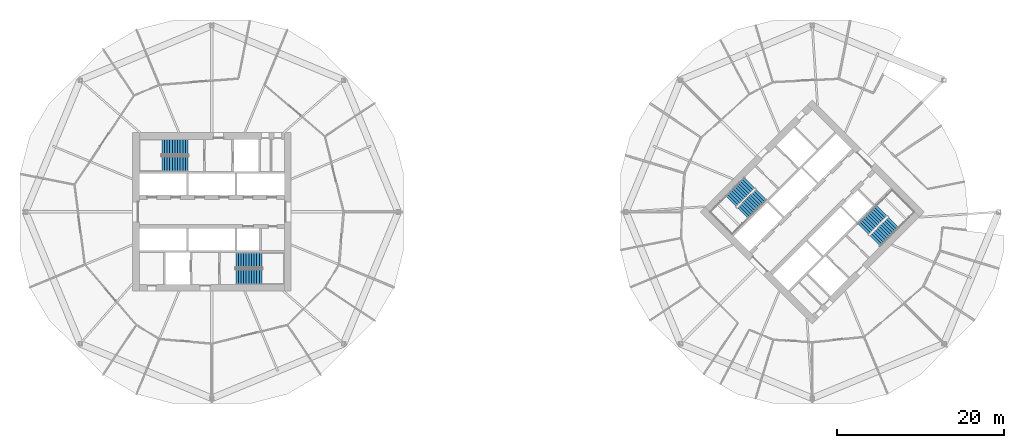
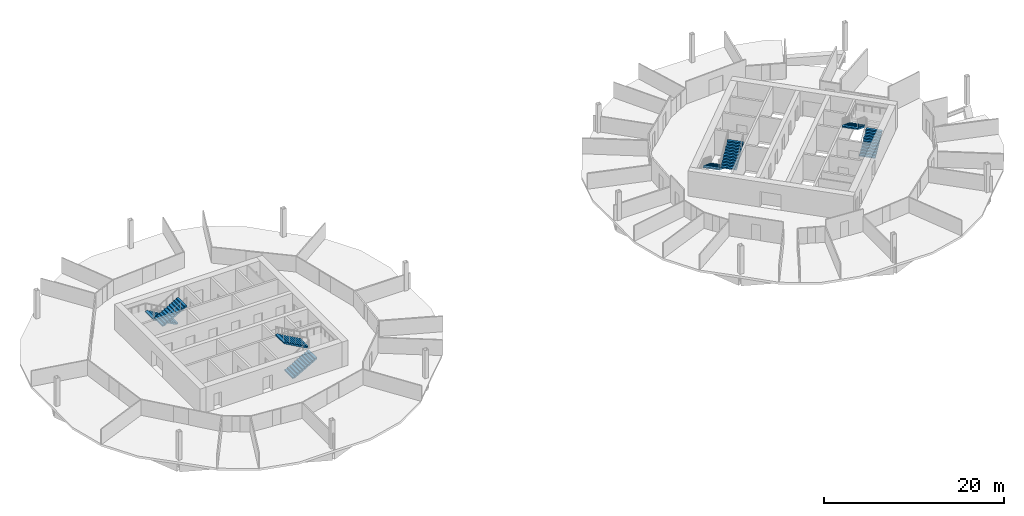
# One storey, part 9 of 10: 8 stair flights, 4 elements without a shape of their own.
"""IFC4 building model written with IfcOpenShell, lengths in metres."""

from ifc_helpers import new_model, si_unit, direction, frame, origin, place, context, subcontext, project, spatial, polyline, outline, extrude, material, type_object, element, aggregate, save


model = new_model("IFC4")

# Units and contexts
model_context = context("Model", 3, precision=1e-05, world=origin(), true_north=direction((0.0, 1.0)))
body_context = subcontext(model_context, "Body", "Model", "MODEL_VIEW")
ifc_project = project(units=[si_unit("LENGTHUNIT", "METRE"), si_unit("AREAUNIT", "SQUARE_METRE"), si_unit("VOLUMEUNIT", "CUBIC_METRE"), si_unit("PLANEANGLEUNIT", "RADIAN"), si_unit("MASSUNIT", "GRAM", prefix="KILO")], contexts=[model_context])

# Site, building, storey
site_placement = place(None, origin())
site = spatial("IfcSite", under=ifc_project, at=site_placement, CompositionType="ELEMENT")
building_placement = place(site_placement, origin())
building = spatial("IfcBuilding", under=site, at=building_placement, Name="Ogive Gate Towers", CompositionType="ELEMENT")
storey_placement = place(building_placement, frame((0.0, 0.0, 126.89990234375)))
storey = spatial("IfcBuildingStorey", under=building, at=storey_placement, Name="L30", CompositionType="ELEMENT", Elevation=126.89990234375)

# Stair, stair flights
ifc_material = material(Name="Concrete C40/50", Category="concrete")
stair_type = type_object("IfcStairType", Name="Escape stair 1840 wide", PredefinedType="HALF_TURN_STAIR", material=ifc_material)
stair_1_placement = place(storey_placement, origin())
stair_1 = element("IfcStair", 1, at=stair_1_placement, inside=storey, type_object=stair_type, Name="L30 Escape stair 1", PredefinedType="HALF_TURN_STAIR")
stair_flight_type = type_object("IfcStairFlightType", Name="Stair flight 1840 wide", PredefinedType="STRAIGHT", material=ifc_material)
stair_flight_1_placement = place(storey_placement, frame((-38.864990234375, 7.780029296875, 0.0), z_axis=(0.0, 0.0, 1.0), x_axis=(-1.0, 0.0, 0.0)))
stair_flight_1 = element("IfcStairFlight", 2, at=stair_flight_1_placement, type_object=stair_flight_type, Name="ST1 flight 1", NumberOfRisers=11, NumberOfTreads=10, PredefinedType="STRAIGHT", RiserHeight=0.177272727, TreadLength=0.313636364, context=body_context, shape_type="SweptSolid", body=[
    extrude(outline(polyline([(0.0, 0.0), (0.0, 0.17724609375), (0.313720703125, 0.17724609375), (0.313720703125, 0.3544921875), (0.627197265625, 0.3544921875), (0.627197265625, 0.53173828125), (0.94091796875, 0.53173828125), (0.94091796875, 0.708984375), (1.254638671875, 0.708984375), (1.254638671875, 0.886474609375), (1.568115234375, 0.886474609375), (1.568115234375, 1.063720703125), (1.8818359375, 1.063720703125), (1.8818359375, 1.240966796875), (2.195556640625, 1.240966796875), (2.195556640625, 1.418212890625), (2.509033203125, 1.418212890625), (2.509033203125, 1.595458984375), (2.82275390625, 1.595458984375), (2.82275390625, 1.772705078125), (3.136474609375, 1.772705078125), (3.136474609375, 1.949951171875), (3.136474609375, 1.6005859375), (0.3046875, 0.0), (0.0, 0.0)])), frame((0.0, 0.919921875, 0.0), z_axis=(0.0, -1.0, 0.0), x_axis=(1.0, 0.0, 0.0)), (0.0, 0.0, 1.0), 1.840087890625),
])
stair_flight_2_placement = place(storey_placement, frame((-42.00146484375, 5.794921875, 1.9501953125), z_axis=(0.0, 0.0, 1.0), x_axis=(1.0, 0.0, 0.0)))
stair_flight_2 = element("IfcStairFlight", 3, at=stair_flight_2_placement, type_object=stair_flight_type, Name="ST1 flight 2", NumberOfRisers=11, NumberOfTreads=10, PredefinedType="STRAIGHT", RiserHeight=0.177272727, TreadLength=0.313636364, context=body_context, shape_type="SweptSolid", body=[
    extrude(outline(polyline([(0.0, 0.0), (0.0, 0.17724609375), (0.313720703125, 0.17724609375), (0.313720703125, 0.3544921875), (0.627197265625, 0.3544921875), (0.627197265625, 0.53173828125), (0.94091796875, 0.53173828125), (0.94091796875, 0.708984375), (1.254638671875, 0.708984375), (1.254638671875, 0.886474609375), (1.568115234375, 0.886474609375), (1.568115234375, 1.063720703125), (1.8818359375, 1.063720703125), (1.8818359375, 1.240966796875), (2.195556640625, 1.240966796875), (2.195556640625, 1.418212890625), (2.509033203125, 1.418212890625), (2.509033203125, 1.595458984375), (2.82275390625, 1.595458984375), (2.82275390625, 1.772705078125), (3.136474609375, 1.772705078125), (3.136474609375, 1.949951171875), (3.136474609375, 1.6005859375), (0.3046875, 0.0), (0.0, 0.0)])), frame((0.0, 0.919921875, 0.0), z_axis=(0.0, -1.0, 0.0), x_axis=(1.0, 0.0, 0.0)), (0.0, 0.0, 1.0), 1.840087890625),
])
aggregate(stair_1, [stair_flight_1, stair_flight_2])

stair_2_placement = place(storey_placement, origin())
stair_2 = element("IfcStair", 4, at=stair_2_placement, inside=storey, type_object=stair_type, Name="L30 Escape stair 2", PredefinedType="HALF_TURN_STAIR")
stair_flight_3_placement = place(storey_placement, frame((-33.135009765625, -7.780029296875, 0.0), z_axis=(0.0, 0.0, 1.0), x_axis=(1.0, 0.0, 0.0)))
stair_flight_3 = element("IfcStairFlight", 5, at=stair_flight_3_placement, type_object=stair_flight_type, Name="ST2 flight 1", NumberOfRisers=11, NumberOfTreads=10, PredefinedType="STRAIGHT", RiserHeight=0.177272727, TreadLength=0.313636364, context=body_context, shape_type="SweptSolid", body=[
    extrude(outline(polyline([(0.0, 0.0), (0.0, 0.17724609375), (0.313720703125, 0.17724609375), (0.313720703125, 0.3544921875), (0.627197265625, 0.3544921875), (0.627197265625, 0.53173828125), (0.94091796875, 0.53173828125), (0.94091796875, 0.708984375), (1.254638671875, 0.708984375), (1.254638671875, 0.886474609375), (1.568115234375, 0.886474609375), (1.568115234375, 1.063720703125), (1.8818359375, 1.063720703125), (1.8818359375, 1.240966796875), (2.195556640625, 1.240966796875), (2.195556640625, 1.418212890625), (2.509033203125, 1.418212890625), (2.509033203125, 1.595458984375), (2.82275390625, 1.595458984375), (2.82275390625, 1.772705078125), (3.136474609375, 1.772705078125), (3.136474609375, 1.949951171875), (3.136474609375, 1.6005859375), (0.3046875, 0.0), (0.0, 0.0)])), frame((0.0, 0.919921875, 0.0), z_axis=(0.0, -1.0, 0.0), x_axis=(1.0, 0.0, 0.0)), (0.0, 0.0, 1.0), 1.840087890625),
])
stair_flight_4_placement = place(storey_placement, frame((-29.99853515625, -5.794921875, 1.9501953125), z_axis=(0.0, 0.0, 1.0), x_axis=(-1.0, 0.0, 0.0)))
stair_flight_4 = element("IfcStairFlight", 6, at=stair_flight_4_placement, type_object=stair_flight_type, Name="ST2 flight 2", NumberOfRisers=11, NumberOfTreads=10, PredefinedType="STRAIGHT", RiserHeight=0.177272727, TreadLength=0.313636364, context=body_context, shape_type="SweptSolid", body=[
    extrude(outline(polyline([(0.0, 0.0), (0.0, 0.17724609375), (0.313720703125, 0.17724609375), (0.313720703125, 0.3544921875), (0.627197265625, 0.3544921875), (0.627197265625, 0.53173828125), (0.94091796875, 0.53173828125), (0.94091796875, 0.708984375), (1.254638671875, 0.708984375), (1.254638671875, 0.886474609375), (1.568115234375, 0.886474609375), (1.568115234375, 1.063720703125), (1.8818359375, 1.063720703125), (1.8818359375, 1.240966796875), (2.195556640625, 1.240966796875), (2.195556640625, 1.418212890625), (2.509033203125, 1.418212890625), (2.509033203125, 1.595458984375), (2.82275390625, 1.595458984375), (2.82275390625, 1.772705078125), (3.136474609375, 1.772705078125), (3.136474609375, 1.949951171875), (3.136474609375, 1.6005859375), (0.3046875, 0.0), (0.0, 0.0)])), frame((0.0, 0.919921875, 0.0), z_axis=(0.0, -1.0, 0.0), x_axis=(1.0, 0.0, 0.0)), (0.0, 0.0, 1.0), 1.840087890625),
])
aggregate(stair_2, [stair_flight_3, stair_flight_4])

stair_3_placement = place(storey_placement, origin())
stair_3 = element("IfcStair", 7, at=stair_3_placement, inside=storey, type_object=stair_type, Name="L30 Escape stair 1", PredefinedType="HALF_TURN_STAIR")
stair_flight_5_placement = place(storey_placement, frame((28.472900390625, 3.475341796875, 0.0), z_axis=(0.0, 0.0, 1.0), x_axis=(-0.707106781187, -0.707106781187, 0.0)))
stair_flight_5 = element("IfcStairFlight", 8, at=stair_flight_5_placement, type_object=stair_flight_type, Name="ST1 flight 1", NumberOfRisers=11, NumberOfTreads=10, PredefinedType="STRAIGHT", RiserHeight=0.177272727, TreadLength=0.313636364, context=body_context, shape_type="SweptSolid", body=[
    extrude(outline(polyline([(0.0, 0.0), (0.0, 0.17724609375), (0.313720703125, 0.17724609375), (0.313720703125, 0.3544921875), (0.627197265625, 0.3544921875), (0.627197265625, 0.53173828125), (0.94091796875, 0.53173828125), (0.94091796875, 0.708984375), (1.254638671875, 0.708984375), (1.254638671875, 0.886474609375), (1.568115234375, 0.886474609375), (1.568115234375, 1.063720703125), (1.8818359375, 1.063720703125), (1.8818359375, 1.240966796875), (2.195556640625, 1.240966796875), (2.195556640625, 1.418212890625), (2.509033203125, 1.418212890625), (2.509033203125, 1.595458984375), (2.82275390625, 1.595458984375), (2.82275390625, 1.772705078125), (3.136474609375, 1.772705078125), (3.136474609375, 1.949951171875), (3.136474609375, 1.6005859375), (0.3046875, 0.0), (0.0, 0.0)])), frame((0.0, 0.919921875, 0.0), z_axis=(0.0, -1.0, 0.0), x_axis=(1.0, 0.0, 0.0)), (0.0, 0.0, 1.0), 1.840087890625),
])
stair_flight_6_placement = place(storey_placement, frame((27.65869140625, -0.14599609375, 1.9501953125), z_axis=(0.0, 0.0, 1.0), x_axis=(0.707106781187, 0.707106781187, 0.0)))
stair_flight_6 = element("IfcStairFlight", 9, at=stair_flight_6_placement, type_object=stair_flight_type, Name="ST1 flight 2", NumberOfRisers=11, NumberOfTreads=10, PredefinedType="STRAIGHT", RiserHeight=0.177272727, TreadLength=0.313636364, context=body_context, shape_type="SweptSolid", body=[
    extrude(outline(polyline([(0.0, 0.0), (0.0, 0.17724609375), (0.313720703125, 0.17724609375), (0.313720703125, 0.3544921875), (0.627197265625, 0.3544921875), (0.627197265625, 0.53173828125), (0.94091796875, 0.53173828125), (0.94091796875, 0.708984375), (1.254638671875, 0.708984375), (1.254638671875, 0.886474609375), (1.568115234375, 0.886474609375), (1.568115234375, 1.063720703125), (1.8818359375, 1.063720703125), (1.8818359375, 1.240966796875), (2.195556640625, 1.240966796875), (2.195556640625, 1.418212890625), (2.509033203125, 1.418212890625), (2.509033203125, 1.595458984375), (2.82275390625, 1.595458984375), (2.82275390625, 1.772705078125), (3.136474609375, 1.772705078125), (3.136474609375, 1.949951171875), (3.136474609375, 1.6005859375), (0.3046875, 0.0), (0.0, 0.0)])), frame((0.0, 0.919921875, 0.0), z_axis=(0.0, -1.0, 0.0), x_axis=(1.0, 0.0, 0.0)), (0.0, 0.0, 1.0), 1.840087890625),
])
aggregate(stair_3, [stair_flight_5, stair_flight_6])

stair_4_placement = place(storey_placement, origin())
stair_4 = element("IfcStair", 10, at=stair_4_placement, inside=storey, type_object=stair_type, Name="L30 Escape stair 2", PredefinedType="HALF_TURN_STAIR")
stair_flight_7_placement = place(storey_placement, frame((43.527099609375, -3.475341796875, 0.0), z_axis=(0.0, 0.0, 1.0), x_axis=(0.707106781187, 0.707106781187, 0.0)))
stair_flight_7 = element("IfcStairFlight", 11, at=stair_flight_7_placement, type_object=stair_flight_type, Name="ST2 flight 1", NumberOfRisers=11, NumberOfTreads=10, PredefinedType="STRAIGHT", RiserHeight=0.177272727, TreadLength=0.313636364, context=body_context, shape_type="SweptSolid", body=[
    extrude(outline(polyline([(0.0, 0.0), (0.0, 0.17724609375), (0.313720703125, 0.17724609375), (0.313720703125, 0.3544921875), (0.627197265625, 0.3544921875), (0.627197265625, 0.53173828125), (0.94091796875, 0.53173828125), (0.94091796875, 0.708984375), (1.254638671875, 0.708984375), (1.254638671875, 0.886474609375), (1.568115234375, 0.886474609375), (1.568115234375, 1.063720703125), (1.8818359375, 1.063720703125), (1.8818359375, 1.240966796875), (2.195556640625, 1.240966796875), (2.195556640625, 1.418212890625), (2.509033203125, 1.418212890625), (2.509033203125, 1.595458984375), (2.82275390625, 1.595458984375), (2.82275390625, 1.772705078125), (3.136474609375, 1.772705078125), (3.136474609375, 1.949951171875), (3.136474609375, 1.6005859375), (0.3046875, 0.0), (0.0, 0.0)])), frame((0.0, 0.919921875, 0.0), z_axis=(0.0, -1.0, 0.0), x_axis=(1.0, 0.0, 0.0)), (0.0, 0.0, 1.0), 1.840087890625),
])
stair_flight_8_placement = place(storey_placement, frame((44.34130859375, 0.14599609375, 1.9501953125), z_axis=(0.0, 0.0, 1.0), x_axis=(-0.707106781187, -0.707106781187, 0.0)))
stair_flight_8 = element("IfcStairFlight", 12, at=stair_flight_8_placement, type_object=stair_flight_type, Name="ST2 flight 2", NumberOfRisers=11, NumberOfTreads=10, PredefinedType="STRAIGHT", RiserHeight=0.177272727, TreadLength=0.313636364, context=body_context, shape_type="SweptSolid", body=[
    extrude(outline(polyline([(0.0, 0.0), (0.0, 0.17724609375), (0.313720703125, 0.17724609375), (0.313720703125, 0.3544921875), (0.627197265625, 0.3544921875), (0.627197265625, 0.53173828125), (0.94091796875, 0.53173828125), (0.94091796875, 0.708984375), (1.254638671875, 0.708984375), (1.254638671875, 0.886474609375), (1.568115234375, 0.886474609375), (1.568115234375, 1.063720703125), (1.8818359375, 1.063720703125), (1.8818359375, 1.240966796875), (2.195556640625, 1.240966796875), (2.195556640625, 1.418212890625), (2.509033203125, 1.418212890625), (2.509033203125, 1.595458984375), (2.82275390625, 1.595458984375), (2.82275390625, 1.772705078125), (3.136474609375, 1.772705078125), (3.136474609375, 1.949951171875), (3.136474609375, 1.6005859375), (0.3046875, 0.0), (0.0, 0.0)])), frame((0.0, 0.919921875, 0.0), z_axis=(0.0, -1.0, 0.0), x_axis=(1.0, 0.0, 0.0)), (0.0, 0.0, 1.0), 1.840087890625),
])
aggregate(stair_4, [stair_flight_7, stair_flight_8])

save(model, "model.ifc")
